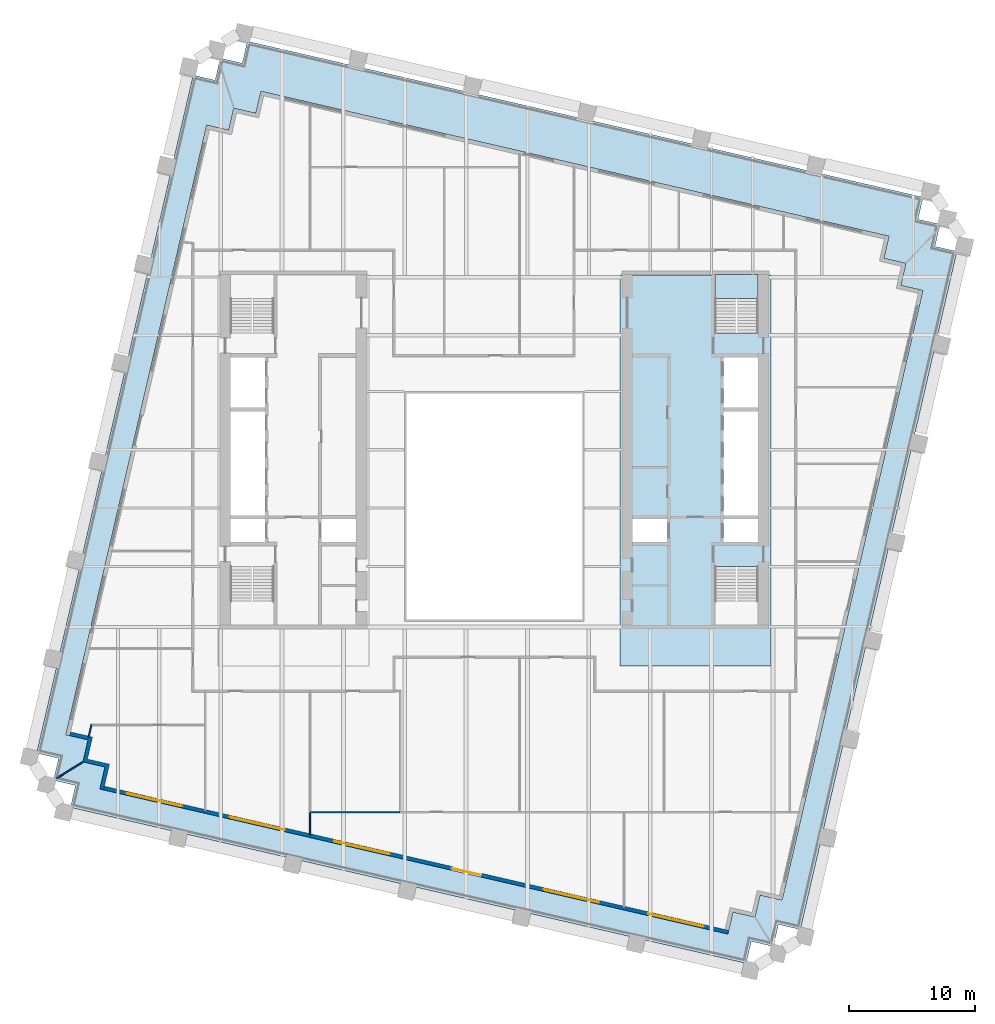
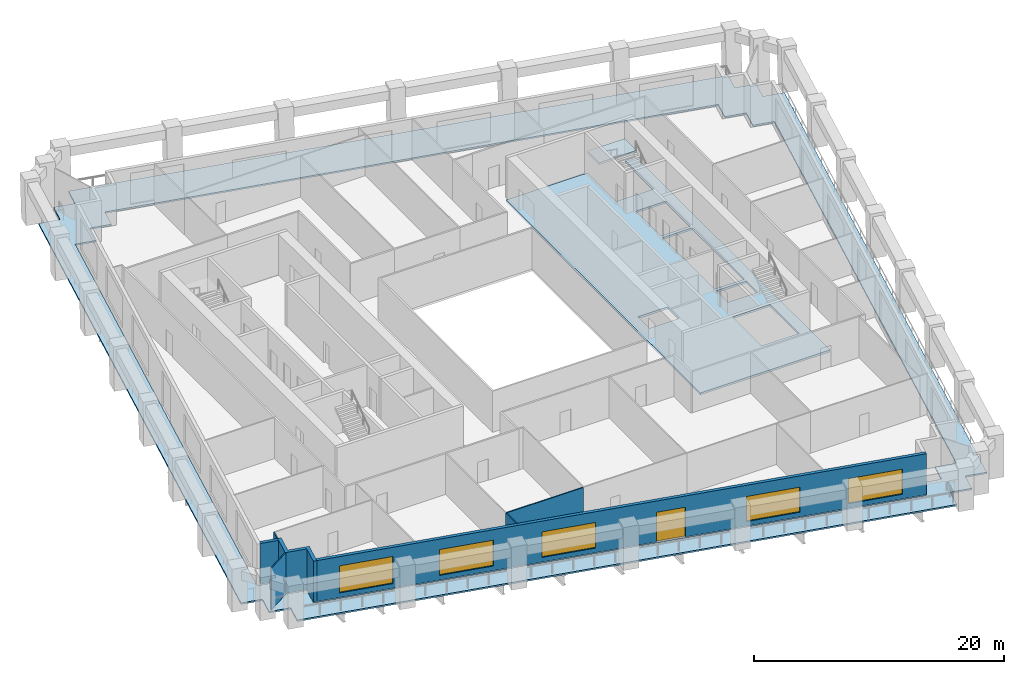
# One storey, part 3 of 10: 6 walls, 5 windows, 3 slabs, 1 door, 6 openings, 1 element without a shape of its own.
"""IFC4 building model written with IfcOpenShell, lengths in metres."""

from ifc_helpers import new_model, si_unit, direction, frame, frame_2d, origin, place, context, subcontext, project, spatial, polyline, rectangle, outline, extrude, material, layer, layer_set, type_object, element, fill, aggregate, save


model = new_model("IFC4")

# Units and contexts
model_context = context("Model", 3, precision=1e-05, world=origin(), true_north=direction((0.0, 1.0)))
body_context = subcontext(model_context, "Body", "Model", "MODEL_VIEW")
ifc_project = project(units=[si_unit("LENGTHUNIT", "METRE"), si_unit("AREAUNIT", "SQUARE_METRE"), si_unit("VOLUMEUNIT", "CUBIC_METRE"), si_unit("PLANEANGLEUNIT", "RADIAN"), si_unit("MASSUNIT", "GRAM", prefix="KILO")], contexts=[model_context])

# Site, building, storey
site_placement = place(None, origin())
site = spatial("IfcSite", under=ifc_project, at=site_placement, CompositionType="ELEMENT")
building_placement = place(site_placement, origin())
building = spatial("IfcBuilding", under=site, at=building_placement, Name="Ogive Exchange Tower", CompositionType="ELEMENT")
storey_placement = place(building_placement, frame((0.0, 0.0, 118.199951171875)))
storey = spatial("IfcBuildingStorey", under=building, at=storey_placement, Name="L25", CompositionType="ELEMENT", Elevation=118.199951171875)

# Slabs
ifc_material_1 = material(Name="Concrete C70/85", Category="concrete")
ifc_layer_1 = layer(ifc_material_1, 0.199951171875)
ifc_layer_set_1 = layer_set([ifc_layer_1], Name="Core floor slab 200")
slab_type_1 = type_object("IfcSlabType", Name="Core floor slab 200", PredefinedType="FLOOR", material=ifc_layer_set_1)
slab_1_placement = place(storey_placement, frame((0.0, 0.0, -0.199951171875)))
element("IfcSlab", 1, at=slab_1_placement, inside=storey, type_object=slab_type_1, Name="Core floor slab", PredefinedType="FLOOR", context=body_context, shape_type="SweptSolid", body=[
    extrude(outline(polyline([(22.0, 25.39990234375), (22.0, -5.699951171875), (10.0, -5.699951171875), (10.0, 25.39990234375), (17.550048828125, 25.39990234375), (17.550048828125, 20.803955078125), (21.0, 20.803955078125), (21.0, 25.39990234375), (22.0, 25.39990234375)]), holes=[polyline([(21.0, 2.196044921875), (17.550048828125, 2.196044921875), (17.550048828125, -2.449951171875), (21.0, -2.449951171875), (21.0, 2.196044921875)]), polyline([(13.75, 5.992919921875), (11.0, 5.992919921875), (11.0, 4.14990234375), (13.75, 4.14990234375), (13.75, 5.992919921875)]), polyline([(21.0, 5.992919921875), (18.25, 5.992919921875), (18.25, 4.14990234375), (21.0, 4.14990234375), (21.0, 5.992919921875)]), polyline([(18.25, 14.564208984375), (18.25, 6.29296875), (21.0, 6.29296875), (21.0, 14.564208984375), (18.25, 14.564208984375)]), polyline([(21.0, 18.85009765625), (18.25, 18.85009765625), (18.25, 14.8642578125), (21.0, 14.8642578125), (21.0, 18.85009765625)])]), origin(), (0.0, 0.0, 1.0), 0.199951171875),
])
ifc_material_2 = material(Name="Concrete C50/60", Category="concrete")
ifc_layer_2 = layer(ifc_material_2, 0.14990234375)
ifc_layer_set_2 = layer_set([ifc_layer_2], Name="Loggia deck 150")
slab_type_2 = type_object("IfcSlabType", Name="Loggia deck 150", PredefinedType="FLOOR", material=ifc_layer_set_2)
slab_2_placement = place(storey_placement, frame((0.0, 0.0, -0.199951171875)))
element("IfcSlab", 2, at=slab_2_placement, inside=storey, type_object=slab_type_2, Name="Loggia deck", PredefinedType="FLOOR", context=body_context, shape_type="SweptSolid", body=[
    extrude(outline(polyline([(-33.33740234375, -15.20703125), (-35.09130859375, -14.802001953125), (-34.686279296875, -13.04833984375), (-36.440185546875, -12.643310546875), (-23.97998046875, 41.327880859375), (-22.226318359375, 40.923095703125), (-21.8212890625, 42.6767578125), (-20.0673828125, 42.27197265625), (-19.66259765625, 44.02587890625), (34.122802734375, 31.6083984375), (33.7177734375, 29.8544921875), (35.4716796875, 29.44970703125), (35.06689453125, 27.69580078125), (36.82080078125, 27.291015625), (24.3603515625, -26.680419921875), (22.6064453125, -26.275390625), (22.20166015625, -28.029296875), (20.44775390625, -27.62451171875), (20.04296875, -29.378173828125), (-33.742431640625, -16.9609375), (-33.33740234375, -15.20703125)]), holes=[polyline([(18.986328125, -25.28564453125), (20.740234375, -25.690673828125), (21.145263671875, -23.936767578125), (22.89892578125, -24.341552734375), (34.1015625, 24.181884765625), (32.34765625, 24.5869140625), (32.752685546875, 26.3408203125), (30.998779296875, 26.74560546875), (31.40380859375, 28.49951171875), (-18.58154296875, 40.03955078125), (-18.986328125, 38.28564453125), (-20.740234375, 38.690673828125), (-21.145263671875, 36.936767578125), (-22.89892578125, 37.341552734375), (-34.1015625, -11.181884765625), (-32.34765625, -11.5869140625), (-32.752685546875, -13.3408203125), (-30.998779296875, -13.74560546875), (-31.40380859375, -15.49951171875), (18.58154296875, -27.03955078125), (18.986328125, -25.28564453125)])]), origin(), (0.0, 0.0, 1.0), 0.14990234375),
])

# Stair, slab
ifc_material_3 = material(Name="Concrete C40/50", Category="concrete")
stair_type = type_object("IfcStairType", Name="Exit stair 1650 wide", PredefinedType="HALF_TURN_STAIR", material=ifc_material_3)
stair_placement = place(storey_placement, origin())
stair = element("IfcStair", 3, at=stair_placement, inside=storey, type_object=stair_type, Name="L25 exit stair ST4", PredefinedType="HALF_TURN_STAIR")
ifc_layer_3 = layer(ifc_material_3, 0.199951171875)
ifc_layer_set_3 = layer_set([ifc_layer_3], Name="Stair landing 200 slab")
slab_type_3 = type_object("IfcSlabType", Name="Stair landing 200 slab", PredefinedType="LANDING", material=ifc_layer_set_3)
slab_3_placement = place(storey_placement, frame((0.0, 0.0, 1.900146484375)))
slab_3 = element("IfcSlab", 4, at=slab_3_placement, type_object=slab_type_3, Name="ST4 landing 1", PredefinedType="LANDING", context=body_context, shape_type="SweptSolid", body=[
    extrude(outline(polyline([(21.0, 23.550048828125), (21.0, 25.449951171875), (17.550048828125, 25.449951171875), (17.550048828125, 23.550048828125), (21.0, 23.550048828125)])), origin(), (0.0, 0.0, 1.0), 0.199951171875),
])
aggregate(stair, [slab_3])

# Wall, openings, door, windows
ifc_material_4 = material(Name="Precast concrete C40/50", Category="concrete")
ifc_layer_4 = layer(ifc_material_4, 0.300048828125)
ifc_layer_set_4 = layer_set([ifc_layer_4], Name="Limestone-faced wall 300")
wall_type_1 = type_object("IfcWallType", Name="Limestone-faced wall 300", PredefinedType="STANDARD", material=ifc_layer_set_4)
wall_1_placement = place(storey_placement, frame((-31.07763671875, -15.4208984375, 0.0), z_axis=(0.0, 0.0, 1.0), x_axis=(0.974370456532, -0.224949357493, 0.0)))
wall_1 = element("IfcWall", 5, at=wall_1_placement, inside=storey, type_object=wall_type_1, Name="External wall S1", PredefinedType="STANDARD", context=body_context, shape_type="SweptSolid", body=[
    extrude(rectangle(XDim=51.0, YDim=0.300048828125, at=frame_2d((25.5, 0.0))), origin(), (0.0, 0.0, 1.0), 4.0),
])
opening_1_placement = place(wall_1_placement, frame((1.875, 0.0, 0.449951171875)))
opening_1 = element("IfcOpeningElement", 6, at=opening_1_placement, cuts=wall_1, Name="Opening W1K", PredefinedType="OPENING", context=body_context, shape_type="SweptSolid", body=[
    extrude(rectangle(XDim=4.5, YDim=2.64990234375, at=frame_2d((2.25, 1.324951171875))), frame((0.0, 0.159912109375, 0.0), z_axis=(0.0, -1.0, 0.0), x_axis=(1.0, 0.0, 0.0)), (0.0, 0.0, 1.0), 0.320068359375),
])
opening_2_placement = place(wall_1_placement, frame((10.27490234375, 0.0, 0.449951171875)))
opening_2 = element("IfcOpeningElement", 7, at=opening_2_placement, cuts=wall_1, Name="Opening W1N", PredefinedType="OPENING", context=body_context, shape_type="SweptSolid", body=[
    extrude(rectangle(XDim=4.5, YDim=2.52490234375, at=frame_2d((2.25, 1.262451171875))), frame((0.0, 0.159912109375, 0.0), z_axis=(0.0, -1.0, 0.0), x_axis=(1.0, 0.0, 0.0)), (0.0, 0.0, 1.0), 0.320068359375),
])
opening_3_placement = place(wall_1_placement, frame((18.824951171875, 0.0, 0.449951171875)))
opening_3 = element("IfcOpeningElement", 8, at=opening_3_placement, cuts=wall_1, Name="Opening W1O", PredefinedType="OPENING", context=body_context, shape_type="SweptSolid", body=[
    extrude(rectangle(XDim=4.5, YDim=2.5, at=frame_2d((2.25, 1.25))), frame((0.0, 0.159912109375, 0.0), z_axis=(0.0, -1.0, 0.0), x_axis=(1.0, 0.0, 0.0)), (0.0, 0.0, 1.0), 0.320068359375),
])
opening_4_placement = place(wall_1_placement, frame((28.425048828125, 0.0, 0.0)))
opening_4 = element("IfcOpeningElement", 9, at=opening_4_placement, cuts=wall_1, Name="Opening D1P", PredefinedType="OPENING", context=body_context, shape_type="SweptSolid", body=[
    extrude(rectangle(XDim=2.39990234375, YDim=2.89990234375, at=frame_2d((1.199951171875, 1.449951171875))), frame((0.0, 0.159912109375, 0.0), z_axis=(0.0, -1.0, 0.0), x_axis=(1.0, 0.0, 0.0)), (0.0, 0.0, 1.0), 0.320068359375),
])
opening_5_placement = place(wall_1_placement, frame((35.925048828125, 0.0, 0.449951171875)))
opening_5 = element("IfcOpeningElement", 10, at=opening_5_placement, cuts=wall_1, Name="Opening W1Q", PredefinedType="OPENING", context=body_context, shape_type="SweptSolid", body=[
    extrude(rectangle(XDim=4.5, YDim=2.449951171875, at=frame_2d((2.25, 1.22509765625))), frame((0.0, 0.159912109375, 0.0), z_axis=(0.0, -1.0, 0.0), x_axis=(1.0, 0.0, 0.0)), (0.0, 0.0, 1.0), 0.320068359375),
])
opening_6_placement = place(wall_1_placement, frame((44.47509765625, 0.0, 0.449951171875)))
opening_6 = element("IfcOpeningElement", 11, at=opening_6_placement, cuts=wall_1, Name="Opening W1Q", PredefinedType="OPENING", context=body_context, shape_type="SweptSolid", body=[
    extrude(rectangle(XDim=4.5, YDim=2.449951171875, at=frame_2d((2.25, 1.22509765625))), frame((0.0, 0.159912109375, 0.0), z_axis=(0.0, -1.0, 0.0), x_axis=(1.0, 0.0, 0.0)), (0.0, 0.0, 1.0), 0.320068359375),
])
ifc_material_5 = material(Name="Clear glass in bronze frame", Category="glass")
door_type = type_object("IfcDoorType", Name="Sliding loggia door 2400 x 2900", OperationType="DOUBLE_DOOR_SLIDING", PredefinedType="DOOR", material=ifc_material_5)
door_placement = place(opening_4_placement, origin())
door = element("IfcDoor", 12, at=door_placement, inside=storey, type_object=door_type, Name="Loggia door S03", OperationType="DOUBLE_DOOR_SLIDING", OverallHeight=2.89990234375, OverallWidth=2.39990234375, PredefinedType="DOOR", context=body_context, shape_type="SweptSolid", body=[
    extrude(rectangle(XDim=2.39990234375, YDim=2.89990234375, at=frame_2d((1.199951171875, 1.449951171875))), frame((0.0, 0.02490234375, 0.0), z_axis=(0.0, -1.0, 0.0), x_axis=(1.0, 0.0, 0.0)), (0.0, 0.0, 1.0), 0.050048828125),
])
fill(opening_4, door)
window_type_1 = type_object("IfcWindowType", Name="Twin lancet window 4500 x 2450", PartitioningType="DOUBLE_PANEL_VERTICAL", PredefinedType="WINDOW", material=ifc_material_5)
window_1_placement = place(opening_5_placement, origin())
window_1 = element("IfcWindow", 13, at=window_1_placement, inside=storey, type_object=window_type_1, Name="Window S04", OverallHeight=2.449951171875, OverallWidth=4.5, PartitioningType="DOUBLE_PANEL_VERTICAL", PredefinedType="WINDOW", context=body_context, shape_type="SweptSolid", body=[
    extrude(rectangle(XDim=4.5, YDim=2.449951171875, at=frame_2d((2.25, 1.22509765625))), frame((0.0, 0.030029296875, 0.0), z_axis=(0.0, -1.0, 0.0), x_axis=(1.0, 0.0, 0.0)), (0.0, 0.0, 1.0), 0.06005859375),
])
fill(opening_5, window_1)
window_2_placement = place(opening_6_placement, origin())
window_2 = element("IfcWindow", 14, at=window_2_placement, inside=storey, type_object=window_type_1, Name="Window S05", OverallHeight=2.449951171875, OverallWidth=4.5, PartitioningType="DOUBLE_PANEL_VERTICAL", PredefinedType="WINDOW", context=body_context, shape_type="SweptSolid", body=[
    extrude(rectangle(XDim=4.5, YDim=2.449951171875, at=frame_2d((2.25, 1.22509765625))), frame((0.0, 0.030029296875, 0.0), z_axis=(0.0, -1.0, 0.0), x_axis=(1.0, 0.0, 0.0)), (0.0, 0.0, 1.0), 0.06005859375),
])
fill(opening_6, window_2)
window_type_2 = type_object("IfcWindowType", Name="Twin lancet window 4500 x 2500", PartitioningType="DOUBLE_PANEL_VERTICAL", PredefinedType="WINDOW", material=ifc_material_5)
window_3_placement = place(opening_3_placement, origin())
window_3 = element("IfcWindow", 15, at=window_3_placement, inside=storey, type_object=window_type_2, Name="Window S02", OverallHeight=2.5, OverallWidth=4.5, PartitioningType="DOUBLE_PANEL_VERTICAL", PredefinedType="WINDOW", context=body_context, shape_type="SweptSolid", body=[
    extrude(rectangle(XDim=4.5, YDim=2.5, at=frame_2d((2.25, 1.25))), frame((0.0, 0.030029296875, 0.0), z_axis=(0.0, -1.0, 0.0), x_axis=(1.0, 0.0, 0.0)), (0.0, 0.0, 1.0), 0.06005859375),
])
fill(opening_3, window_3)
window_type_3 = type_object("IfcWindowType", Name="Twin lancet window 4500 x 2525", PartitioningType="DOUBLE_PANEL_VERTICAL", PredefinedType="WINDOW", material=ifc_material_5)
window_4_placement = place(opening_2_placement, origin())
window_4 = element("IfcWindow", 16, at=window_4_placement, inside=storey, type_object=window_type_3, Name="Window S01", OverallHeight=2.52490234375, OverallWidth=4.5, PartitioningType="DOUBLE_PANEL_VERTICAL", PredefinedType="WINDOW", context=body_context, shape_type="SweptSolid", body=[
    extrude(rectangle(XDim=4.5, YDim=2.52490234375, at=frame_2d((2.25, 1.262451171875))), frame((0.0, 0.030029296875, 0.0), z_axis=(0.0, -1.0, 0.0), x_axis=(1.0, 0.0, 0.0)), (0.0, 0.0, 1.0), 0.06005859375),
])
fill(opening_2, window_4)
window_type_4 = type_object("IfcWindowType", Name="Twin lancet window 4500 x 2650", PartitioningType="DOUBLE_PANEL_VERTICAL", PredefinedType="WINDOW", material=ifc_material_5)
window_5_placement = place(opening_1_placement, origin())
window_5 = element("IfcWindow", 17, at=window_5_placement, inside=storey, type_object=window_type_4, Name="Window S00", OverallHeight=2.64990234375, OverallWidth=4.5, PartitioningType="DOUBLE_PANEL_VERTICAL", PredefinedType="WINDOW", context=body_context, shape_type="SweptSolid", body=[
    extrude(rectangle(XDim=4.5, YDim=2.64990234375, at=frame_2d((2.25, 1.324951171875))), frame((0.0, 0.030029296875, 0.0), z_axis=(0.0, -1.0, 0.0), x_axis=(1.0, 0.0, 0.0)), (0.0, 0.0, 1.0), 0.06005859375),
])
fill(opening_1, window_5)

# Walls
wall_2_placement = place(storey_placement, origin())
element("IfcWall", 18, at=wall_2_placement, inside=storey, type_object=wall_type_1, Name="External corner wall C4", PredefinedType="STANDARD", context=body_context, shape_type="SweptSolid", body=[
    extrude(outline(polyline([(-32.392822265625, -13.115966796875), (-30.638916015625, -13.52099609375), (-31.111328125, -15.56689453125), (-31.40380859375, -15.49951171875), (-30.998779296875, -13.74560546875), (-32.752685546875, -13.3408203125), (-32.34765625, -11.5869140625), (-33.809326171875, -11.24951171875), (-33.74169921875, -10.957275390625), (-31.98779296875, -11.362060546875), (-32.392822265625, -13.115966796875)])), origin(), (0.0, 0.0, 1.0), 4.0),
])
ifc_material_6 = material(Name="Laminated safety glass in steel frame", Category="steel")
ifc_layer_5 = layer(ifc_material_6, 0.10009765625)
ifc_layer_set_5 = layer_set([ifc_layer_5], Name="Loggia end screen 100")
wall_type_2 = type_object("IfcWallType", Name="Loggia end screen 100", PredefinedType="STANDARD", material=ifc_layer_set_5)
wall_3_placement = place(storey_placement, frame((-32.752685546875, -13.3408203125, -0.050048828125), z_axis=(0.0, 0.0, 1.0), x_axis=(-0.848059759764, -0.529900598103, 0.0)))
element("IfcWall", 19, at=wall_3_placement, inside=storey, type_object=wall_type_2, Name="Loggia end screen C4", PredefinedType="STANDARD", context=body_context, shape_type="SweptSolid", body=[
    extrude(rectangle(XDim=2.454833984375, YDim=0.10009765625, at=frame_2d((1.2275390625, 0.0))), origin(), (0.0, 0.0, 1.0), 4.050048828125),
])
ifc_material_7 = material(Name="Partition 100 gypsum")
ifc_layer_6 = layer(ifc_material_7, 0.10009765625)
ifc_layer_set_6 = layer_set([ifc_layer_6], Name="Partition 100 gypsum")
wall_type_3 = type_object("IfcWallType", Name="Partition 100 gypsum", PredefinedType="PARTITIONING", material=ifc_layer_set_6)
wall_4_placement = place(storey_placement, frame((-32.069091796875, -10.361083984375, 0.0), z_axis=(0.0, 0.0, 1.0), x_axis=(-0.222987762652, -0.974821243976, 0.0)))
element("IfcWall", 20, at=wall_4_placement, inside=storey, type_object=wall_type_3, Name="L25-PWL-001", PredefinedType="PARTITIONING", context=body_context, shape_type="SweptSolid", body=[
    extrude(rectangle(XDim=1.0576171875, YDim=0.10009765625, at=frame_2d((0.52880859375, 0.0))), origin(), (0.0, 0.0, 1.0), 4.0),
])
wall_5_placement = place(storey_placement, frame((-14.669921875, -19.137939453125, 0.0), z_axis=(0.0, 0.0, 1.0), x_axis=(0.0, 1.0, 0.0)))
element("IfcWall", 21, at=wall_5_placement, inside=storey, type_object=wall_type_3, Name="L25-PWL-014", PredefinedType="PARTITIONING", context=body_context, shape_type="SweptSolid", body=[
    extrude(rectangle(XDim=1.748046875, YDim=0.10009765625, at=frame_2d((0.8740234375, 0.0))), origin(), (0.0, 0.0, 1.0), 4.0),
])
wall_6_placement = place(storey_placement, frame((-14.6201171875, -17.340087890625, 0.0), z_axis=(0.0, 0.0, 1.0), x_axis=(1.0, 0.0, 0.0)))
element("IfcWall", 22, at=wall_6_placement, inside=storey, type_object=wall_type_3, Name="L25-PWL-016", PredefinedType="PARTITIONING", context=body_context, shape_type="SweptSolid", body=[
    extrude(rectangle(XDim=7.070068359375, YDim=0.10009765625, at=frame_2d((3.53515625, 0.0))), origin(), (0.0, 0.0, 1.0), 4.0),
])

save(model, "model.ifc")
